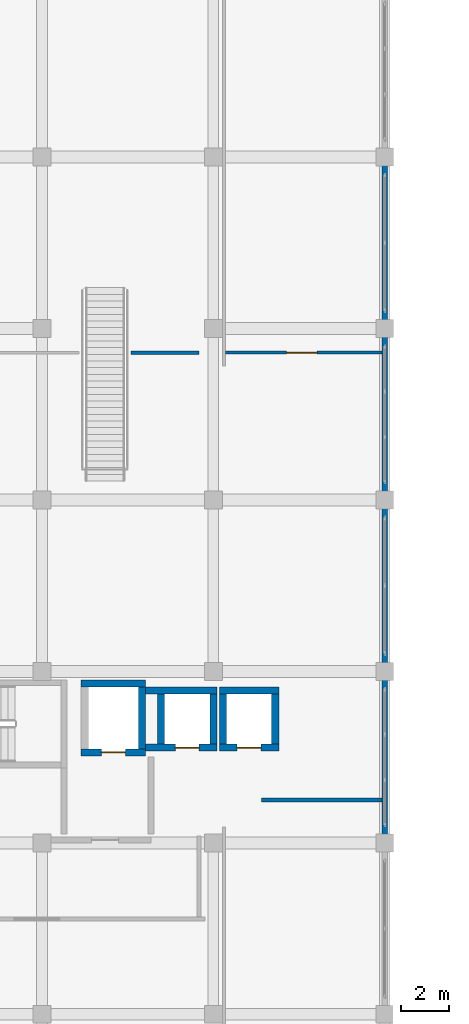
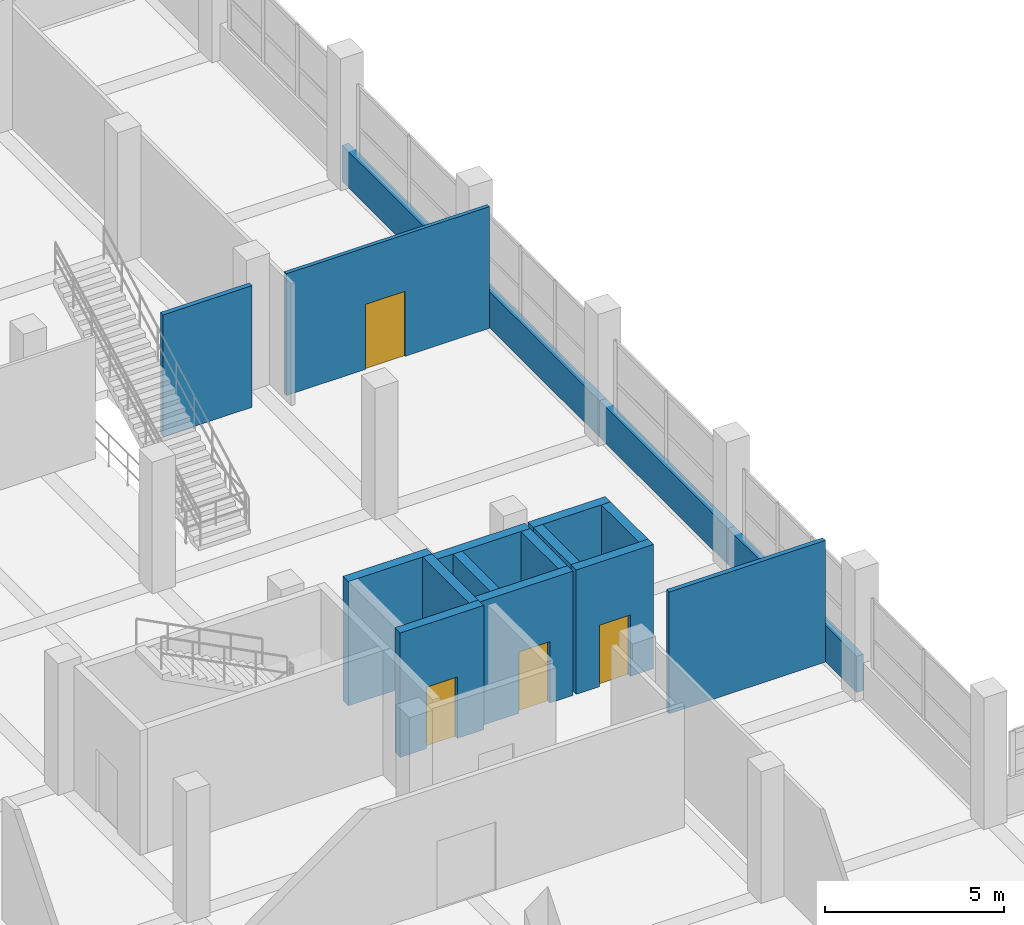
# One storey, part 131 of 141: 18 walls, 4 doors, 4 openings.
"""IFC4 building model written with IfcOpenShell, lengths in metres."""

from ifc_helpers import new_model, si_unit, direction, frame, frame_2d, origin, place, context, subcontext, project, spatial, rectangle, extrude, material, layer, layer_set, type_object, element, fill, save


model = new_model("IFC4")

# Units and contexts
model_context = context("Model", 3, precision=1e-05, world=origin(), true_north=direction((0.0, 1.0)))
body_context = subcontext(model_context, "Body", "Model", "MODEL_VIEW")
ifc_project = project(units=[si_unit("LENGTHUNIT", "METRE"), si_unit("AREAUNIT", "SQUARE_METRE"), si_unit("VOLUMEUNIT", "CUBIC_METRE"), si_unit("PLANEANGLEUNIT", "RADIAN"), si_unit("MASSUNIT", "GRAM", prefix="KILO")], contexts=[model_context])

# Site, building, storey
site_placement = place(None, origin())
site = spatial("IfcSite", under=ifc_project, at=site_placement, CompositionType="ELEMENT")
building_placement = place(site_placement, origin())
building = spatial("IfcBuilding", under=site, at=building_placement, Name="Seraya Terrace Polytechnic", CompositionType="ELEMENT")
storey_placement = place(building_placement, frame((0.0, 0.0, 14.39990234375)))
storey = spatial("IfcBuildingStorey", under=building, at=storey_placement, Name="L03", CompositionType="ELEMENT", Elevation=14.39990234375)

# Walls
ifc_material_1 = material(Name="Precast concrete C40/50", Category="concrete")
ifc_layer_1 = layer(ifc_material_1, 0.219970703125, Name="EW-05")
ifc_layer_set_1 = layer_set([ifc_layer_1], Name="Precast concrete C40/50")
wall_type_1 = type_object("IfcWallType", Name="EW-05", PredefinedType="SOLIDWALL", material=ifc_layer_set_1)
wall_1_placement = place(storey_placement, frame((108.0, 64.800048828125, 0.0), z_axis=(0.0, 0.0, 1.0), x_axis=(0.0, -1.0, 0.0)))
element("IfcWall", 1, at=wall_1_placement, inside=storey, type_object=wall_type_1, Name="Precast spandrel wall L03", PredefinedType="SOLIDWALL", context=body_context, shape_type="SweptSolid", body=[
    extrude(rectangle(XDim=7.199951171875, YDim=0.219970703125, at=frame_2d((3.60009765625, 0.0))), origin(), (0.0, 0.0, 1.0), 1.239990234375),
])
wall_2_placement = place(storey_placement, frame((108.0, 57.60009765625, 0.0), z_axis=(0.0, 0.0, 1.0), x_axis=(0.0, -1.0, 0.0)))
element("IfcWall", 2, at=wall_2_placement, inside=storey, type_object=wall_type_1, Name="Precast spandrel wall L03", PredefinedType="SOLIDWALL", context=body_context, shape_type="SweptSolid", body=[
    extrude(rectangle(XDim=7.2001953125, YDim=0.219970703125, at=frame_2d((3.60009765625, 0.0))), origin(), (0.0, 0.0, 1.0), 1.239990234375),
])
for number, where, z_axis, x_axis, name in (
    (3, (108.0, 50.39990234375, 0.0), (0.0, 0.0, 1.0), (0.0, -1.0, 0.0), "Precast spandrel wall L03"),
    (4, (108.0, 43.199951171875, 0.0), (0.0, 0.0, 1.0), (0.0, -1.0, 0.0), "Precast spandrel wall L03"),
):
    element("IfcWall", number, at=place(storey_placement, frame(where, z_axis=z_axis, x_axis=x_axis)), inside=storey, type_object=wall_type_1, Name=name, PredefinedType="SOLIDWALL", context=body_context, shape_type="SweptSolid", body=[
        extrude(rectangle(XDim=7.199951171875, YDim=0.219970703125, at=frame_2d((3.60009765625, 0.0))), origin(), (0.0, 0.0, 1.0), 1.239990234375),
    ])
ifc_material_2 = material(Name="Autoclaved aerated concrete blockwork", Category="masonry")
ifc_layer_2 = layer(ifc_material_2, 0.14990234375, Name="PT-03")
ifc_layer_set_2 = layer_set([ifc_layer_2], Name="Autoclaved aerated concrete blockwork")
wall_type_2 = type_object("IfcWallType", Name="PT-03", PredefinedType="PARTITIONING", material=ifc_layer_set_2)
wall_3_placement = place(storey_placement, frame((97.330078125, 56.590087890625, 0.0), z_axis=(0.0, 0.0, 1.0), x_axis=(1.0, 0.0, 0.0)))
element("IfcWall", 5, at=wall_3_placement, inside=storey, type_object=wall_type_2, Name="Internal partition PT-03 L03", PredefinedType="PARTITIONING", context=body_context, shape_type="SweptSolid", body=[
    extrude(rectangle(XDim=2.869873046875, YDim=0.14990234375, at=frame_2d((1.43505859375, 0.0))), origin(), (0.0, 0.0, 1.0), 4.16015625),
])
wall_4_placement = place(storey_placement, frame((102.830078125, 37.800048828125, 0.0), z_axis=(0.0, 0.0, 1.0), x_axis=(1.0, 0.0, 0.0)))
element("IfcWall", 6, at=wall_4_placement, inside=storey, type_object=wall_type_2, Name="Internal partition PT-03 L03", PredefinedType="PARTITIONING", context=body_context, shape_type="SweptSolid", body=[
    extrude(rectangle(XDim=5.0478515625, YDim=0.14990234375, at=frame_2d((2.52392578125, 0.0))), origin(), (0.0, 0.0, 1.0), 4.16015625),
])

# Wall, opening, door
ifc_layer_3 = layer(ifc_material_2, 0.1201171875, Name="PT-05")
ifc_layer_set_3 = layer_set([ifc_layer_3], Name="Autoclaved aerated concrete blockwork")
wall_type_3 = type_object("IfcWallType", Name="PT-05", PredefinedType="PARTITIONING", material=ifc_layer_set_3)
wall_5_placement = place(storey_placement, frame((101.31787109375, 56.590087890625, 0.0), z_axis=(0.0, 0.0, 1.0), x_axis=(1.0, 0.0, 0.0)))
wall_5 = element("IfcWall", 7, at=wall_5_placement, inside=storey, type_object=wall_type_3, Name="Internal partition PT-05 L03", PredefinedType="PARTITIONING", context=body_context, shape_type="SweptSolid", body=[
    extrude(rectangle(XDim=6.56005859375, YDim=0.1201171875, at=frame_2d((3.280029296875, 0.0))), origin(), (0.0, 0.0, 1.0), 4.16015625),
])
opening_1_placement = place(wall_5_placement, frame((2.555908203125, 0.0, 0.0)))
opening_1 = element("IfcOpeningElement", 8, at=opening_1_placement, cuts=wall_5, Name="Opening ID-08", PredefinedType="OPENING", context=body_context, shape_type="SweptSolid", body=[
    extrude(rectangle(XDim=1.280029296875, YDim=2.219970703125, at=frame_2d((0.64013671875, 1.10986328125))), frame((0.0, 0.072021484375, 0.0), z_axis=(0.0, -1.0, 0.0), x_axis=(1.0, 0.0, 0.0)), (0.0, 0.0, 1.0), 0.14404296875),
])
ifc_material_3 = material(Name="Malaysian dark red meranti hardwood timber D40", Category="wood")
door_type_1 = type_object("IfcDoorType", Name="ID-08", OperationType="NOTDEFINED", PredefinedType="DOOR", material=ifc_material_3)
door_1_placement = place(opening_1_placement, frame((1.280029296875, 0.0, 0.0), z_axis=(0.0, 0.0, 1.0), x_axis=(-1.0, 0.0, 0.0)))
door_1 = element("IfcDoor", 9, at=door_1_placement, inside=storey, type_object=door_type_1, Name="Door ID-08 DR-INT-L03-0213 in WL-INT-L03-0623", OperationType="SINGLE_SWING_RIGHT", OverallHeight=2.219970703125, OverallWidth=1.280029296875, PredefinedType="DOOR", context=body_context, shape_type="SweptSolid", body=[
    extrude(rectangle(XDim=1.280029296875, YDim=2.219970703125, at=frame_2d((0.64013671875, 1.10986328125))), frame((0.0, 0.02490234375, 0.0), z_axis=(0.0, -1.0, 0.0), x_axis=(1.0, 0.0, 0.0)), (0.0, 0.0, 1.0), 0.050048828125),
])
fill(opening_1, door_1)

ifc_material_4 = material(Name="Concrete C40/50", Category="concrete")
ifc_layer_4 = layer(ifc_material_4, 0.300048828125, Name="SW-01")
ifc_layer_set_4 = layer_set([ifc_layer_4], Name="Concrete C40/50")
wall_type_4 = type_object("IfcWallType", Name="SW-01", PredefinedType="SHEAR", material=ifc_layer_set_4)
wall_6_placement = place(storey_placement, frame((95.25, 39.800048828125, 0.0), z_axis=(0.0, 0.0, 1.0), x_axis=(1.0, 0.0, 0.0)))
wall_6 = element("IfcWall", 10, at=wall_6_placement, inside=storey, type_object=wall_type_4, Name="Lift shaft FL-02 South wall L03", PredefinedType="SHEAR", context=body_context, shape_type="SweptSolid", body=[
    extrude(rectangle(XDim=2.699951171875, YDim=0.300048828125, at=frame_2d((1.35009765625, 0.0))), origin(), (0.0, 0.0, 1.0), 4.25),
])
opening_2_placement = place(wall_6_placement, frame((0.85009765625, 0.0, 0.0)))
opening_2 = element("IfcOpeningElement", 11, at=opening_2_placement, cuts=wall_6, Name="Opening LD-01", PredefinedType="OPENING", context=body_context, shape_type="SweptSolid", body=[
    extrude(rectangle(XDim=1.0, YDim=2.10009765625, at=frame_2d((0.5, 1.050048828125))), frame((0.0, 0.162109375, 0.0), z_axis=(0.0, -1.0, 0.0), x_axis=(1.0, 0.0, 0.0)), (0.0, 0.0, 1.0), 0.323974609375),
])
ifc_material_5 = material(Name="Steel S355J2", Category="steel")
door_type_2 = type_object("IfcDoorType", Name="LD-01", OperationType="SLIDING_TO_LEFT", PredefinedType="DOOR", material=ifc_material_5)
door_2_placement = place(opening_2_placement, frame((1.0, 0.0, 0.0), z_axis=(0.0, 0.0, 1.0), x_axis=(-1.0, 0.0, 0.0)))
door_2 = element("IfcDoor", 12, at=door_2_placement, inside=storey, type_object=door_type_2, Name="Door LD-01 LD-FL-02-L03 in WL-SHF-FL-02-L03-S", OperationType="SLIDING_TO_RIGHT", OverallHeight=2.10009765625, OverallWidth=1.0, PredefinedType="DOOR", context=body_context, shape_type="SweptSolid", body=[
    extrude(rectangle(XDim=1.0, YDim=2.10009765625, at=frame_2d((0.5, 1.050048828125))), frame((0.0, 0.02490234375, 0.0), z_axis=(0.0, -1.0, 0.0), x_axis=(1.0, 0.0, 0.0)), (0.0, 0.0, 1.0), 0.050048828125),
])
fill(opening_2, door_2)

# Walls
wall_7_placement = place(storey_placement, frame((95.25, 42.699951171875, 0.0), z_axis=(0.0, 0.0, 1.0), x_axis=(1.0, 0.0, 0.0)))
element("IfcWall", 13, at=wall_7_placement, inside=storey, type_object=wall_type_4, Name="Lift shaft FL-02 North wall L03", PredefinedType="SHEAR", context=body_context, shape_type="SweptSolid", body=[
    extrude(rectangle(XDim=2.699951171875, YDim=0.300048828125, at=frame_2d((1.35009765625, 0.0))), origin(), (0.0, 0.0, 1.0), 4.25),
])
wall_8_placement = place(storey_placement, frame((97.800048828125, 39.949951171875, 0.0), z_axis=(0.0, 0.0, 1.0), x_axis=(0.0, 1.0, 0.0)))
element("IfcWall", 14, at=wall_8_placement, inside=storey, type_object=wall_type_4, Name="Lift shaft FL-02 East wall L03", PredefinedType="SHEAR", context=body_context, shape_type="SweptSolid", body=[
    extrude(rectangle(XDim=2.60009765625, YDim=0.300048828125, at=frame_2d((1.300048828125, 0.0))), origin(), (0.0, 0.0, 1.0), 4.25),
])

# Wall, opening, door
wall_9_placement = place(storey_placement, frame((97.949951171875, 40.0, 0.0), z_axis=(0.0, 0.0, 1.0), x_axis=(1.0, 0.0, 0.0)))
wall_9 = element("IfcWall", 15, at=wall_9_placement, inside=storey, type_object=wall_type_4, Name="Lift shaft PL-03 South wall L03", PredefinedType="SHEAR", context=body_context, shape_type="SweptSolid", body=[
    extrude(rectangle(XDim=3.0, YDim=0.300048828125, at=frame_2d((1.5, 0.0))), origin(), (0.0, 0.0, 1.0), 4.25),
])
opening_3_placement = place(wall_9_placement, frame((1.25, 0.0, 0.0)))
opening_3 = element("IfcOpeningElement", 16, at=opening_3_placement, cuts=wall_9, Name="Opening LD-01", PredefinedType="OPENING", context=body_context, shape_type="SweptSolid", body=[
    extrude(rectangle(XDim=1.0, YDim=2.10009765625, at=frame_2d((0.5, 1.050048828125))), frame((0.0, 0.162109375, 0.0), z_axis=(0.0, -1.0, 0.0), x_axis=(1.0, 0.0, 0.0)), (0.0, 0.0, 1.0), 0.323974609375),
])
door_3_placement = place(opening_3_placement, frame((1.0, 0.0, 0.0), z_axis=(0.0, 0.0, 1.0), x_axis=(-1.0, 0.0, 0.0)))
door_3 = element("IfcDoor", 17, at=door_3_placement, inside=storey, type_object=door_type_2, Name="Door LD-01 LD-PL-03-L03 in WL-SHF-PL-03-L03-S", OperationType="SLIDING_TO_LEFT", OverallHeight=2.10009765625, OverallWidth=1.0, PredefinedType="DOOR", context=body_context, shape_type="SweptSolid", body=[
    extrude(rectangle(XDim=1.0, YDim=2.10009765625, at=frame_2d((0.5, 1.050048828125))), frame((0.0, 0.02490234375, 0.0), z_axis=(0.0, -1.0, 0.0), x_axis=(1.0, 0.0, 0.0)), (0.0, 0.0, 1.0), 0.050048828125),
])
fill(opening_3, door_3)

# Walls
wall_10_placement = place(storey_placement, frame((97.949951171875, 42.39990234375, 0.0), z_axis=(0.0, 0.0, 1.0), x_axis=(1.0, 0.0, 0.0)))
element("IfcWall", 18, at=wall_10_placement, inside=storey, type_object=wall_type_4, Name="Lift shaft PL-03 North wall L03", PredefinedType="SHEAR", context=body_context, shape_type="SweptSolid", body=[
    extrude(rectangle(XDim=3.0, YDim=0.300048828125, at=frame_2d((1.5, 0.0))), origin(), (0.0, 0.0, 1.0), 4.25),
])
for number, where, z_axis, x_axis, name in (
    (19, (98.60009765625, 40.14990234375, 0.0), (0.0, 0.0, 1.0), (0.0, 1.0, 0.0), "Lift shaft PL-03 West wall L03"),
    (20, (100.800048828125, 40.14990234375, 0.0), (0.0, 0.0, 1.0), (0.0, 1.0, 0.0), "Lift shaft PL-03 East wall L03"),
):
    element("IfcWall", number, at=place(storey_placement, frame(where, z_axis=z_axis, x_axis=x_axis)), inside=storey, type_object=wall_type_4, Name=name, PredefinedType="SHEAR", context=body_context, shape_type="SweptSolid", body=[
        extrude(rectangle(XDim=2.10009765625, YDim=0.300048828125, at=frame_2d((1.050048828125, 0.0))), origin(), (0.0, 0.0, 1.0), 4.25),
    ])

# Wall, opening, door
wall_11_placement = place(storey_placement, frame((101.050048828125, 40.0, 0.0), z_axis=(0.0, 0.0, 1.0), x_axis=(1.0, 0.0, 0.0)))
wall_11 = element("IfcWall", 21, at=wall_11_placement, inside=storey, type_object=wall_type_4, Name="Lift shaft PL-04 South wall L03", PredefinedType="SHEAR", context=body_context, shape_type="SweptSolid", body=[
    extrude(rectangle(XDim=2.5, YDim=0.300048828125, at=frame_2d((1.25, 0.0))), origin(), (0.0, 0.0, 1.0), 4.25),
])
opening_4_placement = place(wall_11_placement, frame((0.75, 0.0, 0.0)))
opening_4 = element("IfcOpeningElement", 22, at=opening_4_placement, cuts=wall_11, Name="Opening LD-01", PredefinedType="OPENING", context=body_context, shape_type="SweptSolid", body=[
    extrude(rectangle(XDim=1.0, YDim=2.10009765625, at=frame_2d((0.5, 1.050048828125))), frame((0.0, 0.162109375, 0.0), z_axis=(0.0, -1.0, 0.0), x_axis=(1.0, 0.0, 0.0)), (0.0, 0.0, 1.0), 0.323974609375),
])
door_4_placement = place(opening_4_placement, frame((1.0, 0.0, 0.0), z_axis=(0.0, 0.0, 1.0), x_axis=(-1.0, 0.0, 0.0)))
door_4 = element("IfcDoor", 23, at=door_4_placement, inside=storey, type_object=door_type_2, Name="Door LD-01 LD-PL-04-L03 in WL-SHF-PL-04-L03-S", OperationType="SLIDING_TO_RIGHT", OverallHeight=2.10009765625, OverallWidth=1.0, PredefinedType="DOOR", context=body_context, shape_type="SweptSolid", body=[
    extrude(rectangle(XDim=1.0, YDim=2.10009765625, at=frame_2d((0.5, 1.050048828125))), frame((0.0, 0.02490234375, 0.0), z_axis=(0.0, -1.0, 0.0), x_axis=(1.0, 0.0, 0.0)), (0.0, 0.0, 1.0), 0.050048828125),
])
fill(opening_4, door_4)

# Walls
wall_12_placement = place(storey_placement, frame((101.050048828125, 42.39990234375, 0.0), z_axis=(0.0, 0.0, 1.0), x_axis=(1.0, 0.0, 0.0)))
element("IfcWall", 24, at=wall_12_placement, inside=storey, type_object=wall_type_4, Name="Lift shaft PL-04 North wall L03", PredefinedType="SHEAR", context=body_context, shape_type="SweptSolid", body=[
    extrude(rectangle(XDim=2.5, YDim=0.300048828125, at=frame_2d((1.25, 0.0))), origin(), (0.0, 0.0, 1.0), 4.25),
])
for number, where, z_axis, x_axis, name in (
    (25, (101.199951171875, 40.14990234375, 0.0), (0.0, 0.0, 1.0), (0.0, 1.0, 0.0), "Lift shaft PL-04 West wall L03"),
    (26, (103.39990234375, 40.14990234375, 0.0), (0.0, 0.0, 1.0), (0.0, 1.0, 0.0), "Lift shaft PL-04 East wall L03"),
):
    element("IfcWall", number, at=place(storey_placement, frame(where, z_axis=z_axis, x_axis=x_axis)), inside=storey, type_object=wall_type_4, Name=name, PredefinedType="SHEAR", context=body_context, shape_type="SweptSolid", body=[
        extrude(rectangle(XDim=2.10009765625, YDim=0.300048828125, at=frame_2d((1.050048828125, 0.0))), origin(), (0.0, 0.0, 1.0), 4.25),
    ])

save(model, "model.ifc")
